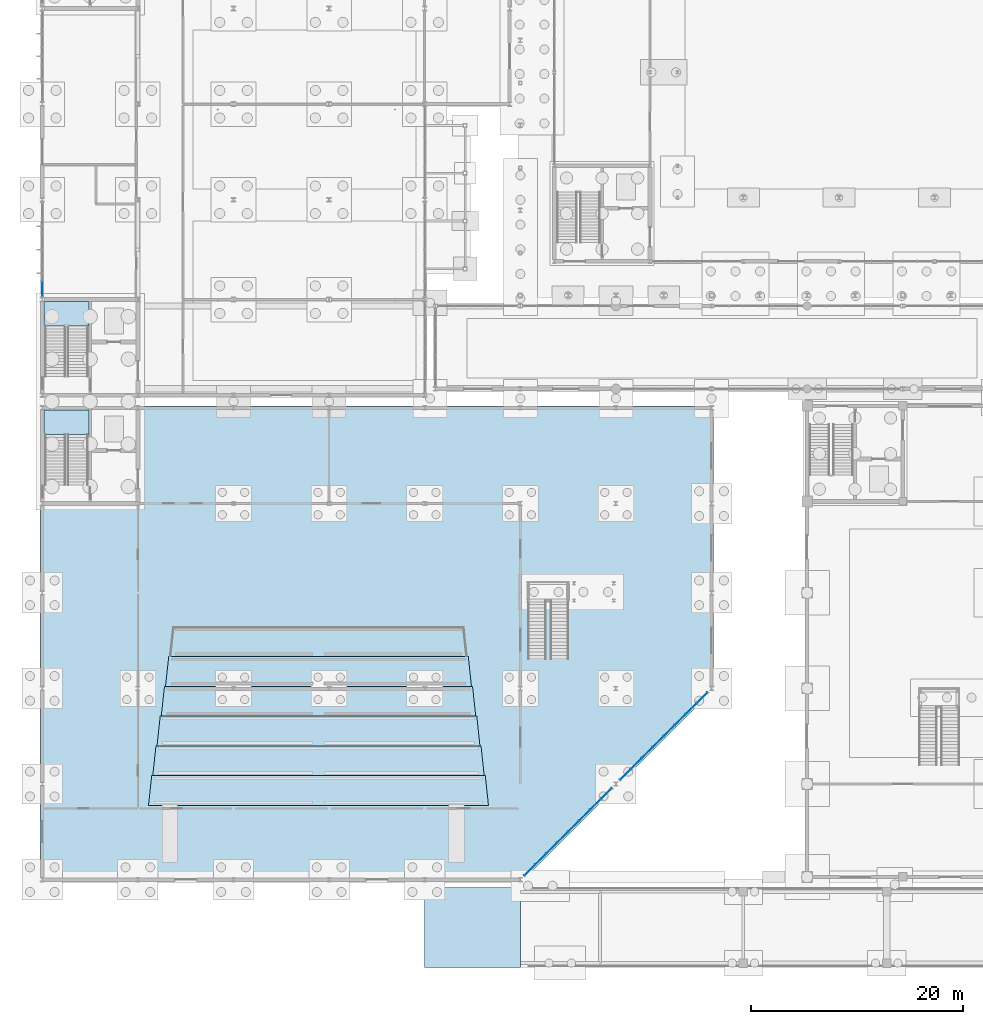
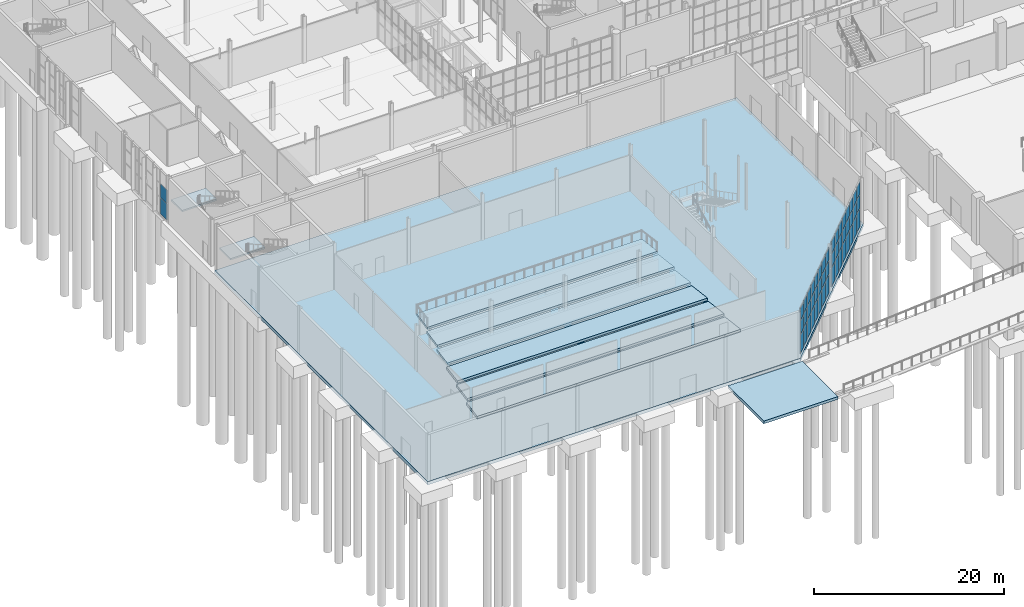
# One storey, part 73 of 131: 50 plates, 10 slabs, 5 elements without a shape of their own.
"""IFC4 building model written with IfcOpenShell, lengths in metres."""

from ifc_helpers import new_model, si_unit, direction, frame, origin, origin_2d, place, context, subcontext, project, spatial, polyline, rectangle, outline, extrude, material, layer, layer_set, type_object, element, aggregate, save


model = new_model("IFC4")

# Units and contexts
model_context = context("Model", 3, precision=1e-05, world=origin(), true_north=direction((0.0, 1.0)))
body_context = subcontext(model_context, "Body", "Model", "MODEL_VIEW")
ifc_project = project(units=[si_unit("LENGTHUNIT", "METRE"), si_unit("AREAUNIT", "SQUARE_METRE"), si_unit("VOLUMEUNIT", "CUBIC_METRE"), si_unit("PLANEANGLEUNIT", "RADIAN"), si_unit("MASSUNIT", "GRAM", prefix="KILO")], contexts=[model_context])

# Site, building, storey
site_placement = place(None, origin())
site = spatial("IfcSite", under=ifc_project, at=site_placement, CompositionType="ELEMENT")
building_placement = place(site_placement, origin())
building = spatial("IfcBuilding", under=site, at=building_placement, Name="Cazmaro Siding Exhibition Halls", CompositionType="ELEMENT")
storey_placement = place(building_placement, origin())
storey = spatial("IfcBuildingStorey", under=building, at=storey_placement, Name="L00", CompositionType="ELEMENT", Elevation=0.0)

# Slabs
ifc_material_1 = material(Name="Concrete f'c 35 MPa", Category="concrete")
ifc_layer_1 = layer(ifc_material_1, 0.409912109375)
ifc_layer_set_1 = layer_set([ifc_layer_1], Name="Concrete f'c 35 MPa")
slab_type_1 = type_object("IfcSlabType", Name="BS-01", PredefinedType="BASESLAB", material=ifc_layer_set_1)
slab_1_placement = place(storey_placement, frame((0.0, 0.0, -0.409912109375)))
element("IfcSlab", 1, at=slab_1_placement, inside=storey, type_object=slab_type_1, Name="Congress Auditorium base slab BS-01 SLB-0008", PredefinedType="BASESLAB", context=body_context, shape_type="SweptSolid", body=[
    extrude(outline(polyline([(-0.199951171875, 8.800048828125), (45.10009765625, 8.800048828125), (63.199951171875, 26.89990234375), (63.199951171875, 53.60009765625), (-0.199951171875, 53.60009765625), (-0.199951171875, 8.800048828125)])), origin(), (0.0, 0.0, 1.0), 0.409912109375),
])
ifc_material_2 = material(Name="Concrete f'c 35 MPa", Category="concrete")
ifc_layer_2 = layer(ifc_material_2, 0.35009765625)
ifc_layer_set_2 = layer_set([ifc_layer_2], Name="Concrete f'c 35 MPa")
slab_type_2 = type_object("IfcSlabType", Name="BS-03", PredefinedType="BASESLAB", material=ifc_layer_set_2)
slab_2_placement = place(storey_placement, frame((0.0, 0.0, -0.35009765625)))
element("IfcSlab", 2, at=slab_2_placement, inside=storey, type_object=slab_type_2, Name="Truck Ramp Grade Approach Apron BS-03 SLB-0010", PredefinedType="BASESLAB", context=body_context, shape_type="SweptSolid", body=[
    extrude(outline(polyline([(36.0, 0.75), (45.0, 0.75), (45.0, 8.25), (36.0, 8.25), (36.0, 0.75)])), origin(), (0.0, 0.0, 1.0), 0.35009765625),
])

# Curtain wall, plates
ifc_material_3 = material(Name="Anodized Bronze Aluminum and Solar-Control Low-E Glazing", Category="aluminium")
ifc_layer_3 = layer(ifc_material_3, 0.199951171875)
ifc_layer_set_3 = layer_set([ifc_layer_3], Name="Anodized Bronze Aluminum and Solar-Control Low-E Glazing")
curtain_wall_type_1 = type_object("IfcCurtainWallType", Name="CWS-02", PredefinedType="USERDEFINED", material=ifc_layer_set_3)
curtain_wall_1_placement = place(storey_placement, origin())
curtain_wall_1 = element("IfcCurtainWall", 3, at=curtain_wall_1_placement, inside=storey, type_object=curtain_wall_type_1, Name="Glazed Curtain Wall CWS-02 CW-224", ObjectType="GLAZED CURTAIN WALL", PredefinedType="USERDEFINED")
ifc_material_4 = material(Name="Solar-Control Low-E Double Insulating Glass", Category="glass")
ifc_layer_4 = layer(ifc_material_4, 0.035888671875)
ifc_layer_set_4 = layer_set([ifc_layer_4], Name="Solar-Control Low-E Double Insulating Glass")
plate_type_1 = type_object("IfcPlateType", Name="CWP-02", PredefinedType="CURTAIN_PANEL", material=ifc_layer_set_4)
plate_1_placement = place(storey_placement, frame((0.0, 64.6103515625, 0.06494140625), z_axis=(0.0, 0.0, 1.0), x_axis=(0.0, -1.0, 0.0)))
plate_1 = element("IfcPlate", 4, at=plate_1_placement, type_object=plate_type_1, Name="CWS-02 panel 6.1", PredefinedType="CURTAIN_PANEL", context=body_context, shape_type="SweptSolid", body=[
    extrude(rectangle(XDim=1.384765625, YDim=0.035888671875, at=origin_2d()), origin(), (0.0, 0.0, 1.0), 2.1025390625),
])
plate_2_placement = place(storey_placement, frame((0.0, 64.6103515625, 2.232421875), z_axis=(0.0, 0.0, 1.0), x_axis=(0.0, -1.0, 0.0)))
plate_2 = element("IfcPlate", 5, at=plate_2_placement, type_object=plate_type_1, Name="CWS-02 panel 6.2", PredefinedType="CURTAIN_PANEL", context=body_context, shape_type="SweptSolid", body=[
    extrude(rectangle(XDim=1.384765625, YDim=0.035888671875, at=origin_2d()), origin(), (0.0, 0.0, 1.0), 1.735107421875),
])
aggregate(curtain_wall_1, [plate_1, plate_2])

ifc_material_5 = material(Name="Anodized Bronze Aluminum and Solar-Control Low-E Glazing", Category="aluminium")
ifc_layer_5 = layer(ifc_material_5, 0.219970703125)
ifc_layer_set_5 = layer_set([ifc_layer_5], Name="Anodized Bronze Aluminum and Solar-Control Low-E Glazing")
curtain_wall_type_2 = type_object("IfcCurtainWallType", Name="CWS-03", PredefinedType="USERDEFINED", material=ifc_layer_set_5)
curtain_wall_2_placement = place(storey_placement, origin())
curtain_wall_2 = element("IfcCurtainWall", 6, at=curtain_wall_2_placement, inside=storey, type_object=curtain_wall_type_2, Name="Glazed Curtain Wall CWS-03 CW-211", ObjectType="GLAZED CURTAIN WALL", PredefinedType="USERDEFINED")
ifc_material_6 = material(Name="Solar-Control Low-E Double Insulating Glass", Category="glass")
ifc_layer_6 = layer(ifc_material_6, 0.0458984375)
ifc_layer_set_6 = layer_set([ifc_layer_6], Name="Solar-Control Low-E Double Insulating Glass")
plate_type_2 = type_object("IfcPlateType", Name="CWP-03", PredefinedType="CURTAIN_PANEL", material=ifc_layer_set_6)
plate_3_placement = place(storey_placement, frame((45.881103515625, 9.881103515625, 0.070068359375), z_axis=(0.0, 0.0, 1.0), x_axis=(0.707106781187, 0.707106781187, 0.0)))
plate_3 = element("IfcPlate", 7, at=plate_3_placement, type_object=plate_type_2, Name="CWS-03 panel 1.1", PredefinedType="CURTAIN_PANEL", context=body_context, shape_type="SweptSolid", body=[
    extrude(rectangle(XDim=1.3623046875, YDim=0.0458984375, at=origin_2d()), origin(), (0.0, 0.0, 1.0), 2.39501953125),
])
plate_4_placement = place(storey_placement, frame((45.881103515625, 9.881103515625, 2.534912109375), z_axis=(0.0, 0.0, 1.0), x_axis=(0.707106781187, 0.707106781187, 0.0)))
plate_4 = element("IfcPlate", 8, at=plate_4_placement, type_object=plate_type_2, Name="CWS-03 panel 1.2", PredefinedType="CURTAIN_PANEL", context=body_context, shape_type="SweptSolid", body=[
    extrude(rectangle(XDim=1.3623046875, YDim=0.0458984375, at=origin_2d()), origin(), (0.0, 0.0, 1.0), 1.72998046875),
])
plate_5_placement = place(storey_placement, frame((45.881103515625, 9.881103515625, 4.3349609375), z_axis=(0.0, 0.0, 1.0), x_axis=(0.707106781187, 0.707106781187, 0.0)))
plate_5 = element("IfcPlate", 9, at=plate_5_placement, type_object=plate_type_2, Name="CWS-03 panel 1.3", PredefinedType="CURTAIN_PANEL", context=body_context, shape_type="SweptSolid", body=[
    extrude(rectangle(XDim=1.3623046875, YDim=0.0458984375, at=origin_2d()), origin(), (0.0, 0.0, 1.0), 1.594970703125),
])
plate_6_placement = place(storey_placement, frame((46.90625, 10.90625, 0.070068359375), z_axis=(0.0, 0.0, 1.0), x_axis=(0.707106781187, 0.707106781187, 0.0)))
plate_6 = element("IfcPlate", 10, at=plate_6_placement, type_object=plate_type_2, Name="CWS-03 panel 2.1", PredefinedType="CURTAIN_PANEL", context=body_context, shape_type="SweptSolid", body=[
    extrude(rectangle(XDim=1.397216796875, YDim=0.0458984375, at=origin_2d()), origin(), (0.0, 0.0, 1.0), 2.39501953125),
])
plate_7_placement = place(storey_placement, frame((46.90625, 10.90625, 2.534912109375), z_axis=(0.0, 0.0, 1.0), x_axis=(0.707106781187, 0.707106781187, 0.0)))
plate_7 = element("IfcPlate", 11, at=plate_7_placement, type_object=plate_type_2, Name="CWS-03 panel 2.2", PredefinedType="CURTAIN_PANEL", context=body_context, shape_type="SweptSolid", body=[
    extrude(rectangle(XDim=1.397216796875, YDim=0.0458984375, at=origin_2d()), origin(), (0.0, 0.0, 1.0), 1.72998046875),
])
plate_8_placement = place(storey_placement, frame((46.90625, 10.90625, 4.3349609375), z_axis=(0.0, 0.0, 1.0), x_axis=(0.707106781187, 0.707106781187, 0.0)))
plate_8 = element("IfcPlate", 12, at=plate_8_placement, type_object=plate_type_2, Name="CWS-03 panel 2.3", PredefinedType="CURTAIN_PANEL", context=body_context, shape_type="SweptSolid", body=[
    extrude(rectangle(XDim=1.397216796875, YDim=0.0458984375, at=origin_2d()), origin(), (0.0, 0.0, 1.0), 1.594970703125),
])
plate_9_placement = place(storey_placement, frame((47.94384765625, 11.94384765625, 0.070068359375), z_axis=(0.0, 0.0, 1.0), x_axis=(0.707106781187, 0.707106781187, 0.0)))
plate_9 = element("IfcPlate", 13, at=plate_9_placement, type_object=plate_type_2, Name="CWS-03 panel 3.1", PredefinedType="CURTAIN_PANEL", context=body_context, shape_type="SweptSolid", body=[
    extrude(rectangle(XDim=1.397216796875, YDim=0.0458984375, at=origin_2d()), origin(), (0.0, 0.0, 1.0), 2.39501953125),
])
plate_10_placement = place(storey_placement, frame((47.94384765625, 11.94384765625, 2.534912109375), z_axis=(0.0, 0.0, 1.0), x_axis=(0.707106781187, 0.707106781187, 0.0)))
plate_10 = element("IfcPlate", 14, at=plate_10_placement, type_object=plate_type_2, Name="CWS-03 panel 3.2", PredefinedType="CURTAIN_PANEL", context=body_context, shape_type="SweptSolid", body=[
    extrude(rectangle(XDim=1.397216796875, YDim=0.0458984375, at=origin_2d()), origin(), (0.0, 0.0, 1.0), 1.72998046875),
])
plate_11_placement = place(storey_placement, frame((47.94384765625, 11.94384765625, 4.3349609375), z_axis=(0.0, 0.0, 1.0), x_axis=(0.707106781187, 0.707106781187, 0.0)))
plate_11 = element("IfcPlate", 15, at=plate_11_placement, type_object=plate_type_2, Name="CWS-03 panel 3.3", PredefinedType="CURTAIN_PANEL", context=body_context, shape_type="SweptSolid", body=[
    extrude(rectangle(XDim=1.397216796875, YDim=0.0458984375, at=origin_2d()), origin(), (0.0, 0.0, 1.0), 1.594970703125),
])
plate_12_placement = place(storey_placement, frame((48.981201171875, 12.981201171875, 0.070068359375), z_axis=(0.0, 0.0, 1.0), x_axis=(0.707106781187, 0.707106781187, 0.0)))
plate_12 = element("IfcPlate", 16, at=plate_12_placement, type_object=plate_type_2, Name="CWS-03 panel 4.1", PredefinedType="CURTAIN_PANEL", context=body_context, shape_type="SweptSolid", body=[
    extrude(rectangle(XDim=1.397216796875, YDim=0.0458984375, at=origin_2d()), origin(), (0.0, 0.0, 1.0), 2.39501953125),
])
plate_13_placement = place(storey_placement, frame((48.981201171875, 12.981201171875, 2.534912109375), z_axis=(0.0, 0.0, 1.0), x_axis=(0.707106781187, 0.707106781187, 0.0)))
plate_13 = element("IfcPlate", 17, at=plate_13_placement, type_object=plate_type_2, Name="CWS-03 panel 4.2", PredefinedType="CURTAIN_PANEL", context=body_context, shape_type="SweptSolid", body=[
    extrude(rectangle(XDim=1.397216796875, YDim=0.0458984375, at=origin_2d()), origin(), (0.0, 0.0, 1.0), 1.72998046875),
])
plate_14_placement = place(storey_placement, frame((48.981201171875, 12.981201171875, 4.3349609375), z_axis=(0.0, 0.0, 1.0), x_axis=(0.707106781187, 0.707106781187, 0.0)))
plate_14 = element("IfcPlate", 18, at=plate_14_placement, type_object=plate_type_2, Name="CWS-03 panel 4.3", PredefinedType="CURTAIN_PANEL", context=body_context, shape_type="SweptSolid", body=[
    extrude(rectangle(XDim=1.397216796875, YDim=0.0458984375, at=origin_2d()), origin(), (0.0, 0.0, 1.0), 1.594970703125),
])
plate_15_placement = place(storey_placement, frame((50.018798828125, 14.018798828125, 0.070068359375), z_axis=(0.0, 0.0, 1.0), x_axis=(0.707106781187, 0.707106781187, 0.0)))
plate_15 = element("IfcPlate", 19, at=plate_15_placement, type_object=plate_type_2, Name="CWS-03 panel 5.1", PredefinedType="CURTAIN_PANEL", context=body_context, shape_type="SweptSolid", body=[
    extrude(rectangle(XDim=1.397216796875, YDim=0.0458984375, at=origin_2d()), origin(), (0.0, 0.0, 1.0), 2.39501953125),
])
plate_16_placement = place(storey_placement, frame((50.018798828125, 14.018798828125, 2.534912109375), z_axis=(0.0, 0.0, 1.0), x_axis=(0.707106781187, 0.707106781187, 0.0)))
plate_16 = element("IfcPlate", 20, at=plate_16_placement, type_object=plate_type_2, Name="CWS-03 panel 5.2", PredefinedType="CURTAIN_PANEL", context=body_context, shape_type="SweptSolid", body=[
    extrude(rectangle(XDim=1.397216796875, YDim=0.0458984375, at=origin_2d()), origin(), (0.0, 0.0, 1.0), 1.72998046875),
])
plate_17_placement = place(storey_placement, frame((50.018798828125, 14.018798828125, 4.3349609375), z_axis=(0.0, 0.0, 1.0), x_axis=(0.707106781187, 0.707106781187, 0.0)))
plate_17 = element("IfcPlate", 21, at=plate_17_placement, type_object=plate_type_2, Name="CWS-03 panel 5.3", PredefinedType="CURTAIN_PANEL", context=body_context, shape_type="SweptSolid", body=[
    extrude(rectangle(XDim=1.397216796875, YDim=0.0458984375, at=origin_2d()), origin(), (0.0, 0.0, 1.0), 1.594970703125),
])
plate_18_placement = place(storey_placement, frame((51.05615234375, 15.05615234375, 0.070068359375), z_axis=(0.0, 0.0, 1.0), x_axis=(0.707106781187, 0.707106781187, 0.0)))
plate_18 = element("IfcPlate", 22, at=plate_18_placement, type_object=plate_type_2, Name="CWS-03 panel 6.1", PredefinedType="CURTAIN_PANEL", context=body_context, shape_type="SweptSolid", body=[
    extrude(rectangle(XDim=1.397216796875, YDim=0.0458984375, at=origin_2d()), origin(), (0.0, 0.0, 1.0), 2.39501953125),
])
plate_19_placement = place(storey_placement, frame((51.05615234375, 15.05615234375, 2.534912109375), z_axis=(0.0, 0.0, 1.0), x_axis=(0.707106781187, 0.707106781187, 0.0)))
plate_19 = element("IfcPlate", 23, at=plate_19_placement, type_object=plate_type_2, Name="CWS-03 panel 6.2", PredefinedType="CURTAIN_PANEL", context=body_context, shape_type="SweptSolid", body=[
    extrude(rectangle(XDim=1.397216796875, YDim=0.0458984375, at=origin_2d()), origin(), (0.0, 0.0, 1.0), 1.72998046875),
])
plate_20_placement = place(storey_placement, frame((51.05615234375, 15.05615234375, 4.3349609375), z_axis=(0.0, 0.0, 1.0), x_axis=(0.707106781187, 0.707106781187, 0.0)))
plate_20 = element("IfcPlate", 24, at=plate_20_placement, type_object=plate_type_2, Name="CWS-03 panel 6.3", PredefinedType="CURTAIN_PANEL", context=body_context, shape_type="SweptSolid", body=[
    extrude(rectangle(XDim=1.397216796875, YDim=0.0458984375, at=origin_2d()), origin(), (0.0, 0.0, 1.0), 1.594970703125),
])
plate_21_placement = place(storey_placement, frame((52.09375, 16.09375, 0.070068359375), z_axis=(0.0, 0.0, 1.0), x_axis=(0.707106781187, 0.707106781187, 0.0)))
plate_21 = element("IfcPlate", 25, at=plate_21_placement, type_object=plate_type_2, Name="CWS-03 panel 7.1", PredefinedType="CURTAIN_PANEL", context=body_context, shape_type="SweptSolid", body=[
    extrude(rectangle(XDim=1.397216796875, YDim=0.0458984375, at=origin_2d()), origin(), (0.0, 0.0, 1.0), 2.39501953125),
])
plate_22_placement = place(storey_placement, frame((52.09375, 16.09375, 2.534912109375), z_axis=(0.0, 0.0, 1.0), x_axis=(0.707106781187, 0.707106781187, 0.0)))
plate_22 = element("IfcPlate", 26, at=plate_22_placement, type_object=plate_type_2, Name="CWS-03 panel 7.2", PredefinedType="CURTAIN_PANEL", context=body_context, shape_type="SweptSolid", body=[
    extrude(rectangle(XDim=1.397216796875, YDim=0.0458984375, at=origin_2d()), origin(), (0.0, 0.0, 1.0), 1.72998046875),
])
plate_23_placement = place(storey_placement, frame((52.09375, 16.09375, 4.3349609375), z_axis=(0.0, 0.0, 1.0), x_axis=(0.707106781187, 0.707106781187, 0.0)))
plate_23 = element("IfcPlate", 27, at=plate_23_placement, type_object=plate_type_2, Name="CWS-03 panel 7.3", PredefinedType="CURTAIN_PANEL", context=body_context, shape_type="SweptSolid", body=[
    extrude(rectangle(XDim=1.397216796875, YDim=0.0458984375, at=origin_2d()), origin(), (0.0, 0.0, 1.0), 1.594970703125),
])
plate_24_placement = place(storey_placement, frame((53.118896484375, 17.118896484375, 0.070068359375), z_axis=(0.0, 0.0, 1.0), x_axis=(0.707106781187, 0.707106781187, 0.0)))
plate_24 = element("IfcPlate", 28, at=plate_24_placement, type_object=plate_type_2, Name="CWS-03 panel 8.1", PredefinedType="CURTAIN_PANEL", context=body_context, shape_type="SweptSolid", body=[
    extrude(rectangle(XDim=1.3623046875, YDim=0.0458984375, at=origin_2d()), origin(), (0.0, 0.0, 1.0), 2.39501953125),
])
plate_25_placement = place(storey_placement, frame((53.118896484375, 17.118896484375, 2.534912109375), z_axis=(0.0, 0.0, 1.0), x_axis=(0.707106781187, 0.707106781187, 0.0)))
plate_25 = element("IfcPlate", 29, at=plate_25_placement, type_object=plate_type_2, Name="CWS-03 panel 8.2", PredefinedType="CURTAIN_PANEL", context=body_context, shape_type="SweptSolid", body=[
    extrude(rectangle(XDim=1.3623046875, YDim=0.0458984375, at=origin_2d()), origin(), (0.0, 0.0, 1.0), 1.72998046875),
])
plate_26_placement = place(storey_placement, frame((53.118896484375, 17.118896484375, 4.3349609375), z_axis=(0.0, 0.0, 1.0), x_axis=(0.707106781187, 0.707106781187, 0.0)))
plate_26 = element("IfcPlate", 30, at=plate_26_placement, type_object=plate_type_2, Name="CWS-03 panel 8.3", PredefinedType="CURTAIN_PANEL", context=body_context, shape_type="SweptSolid", body=[
    extrude(rectangle(XDim=1.3623046875, YDim=0.0458984375, at=origin_2d()), origin(), (0.0, 0.0, 1.0), 1.594970703125),
])
aggregate(curtain_wall_2, [plate_3, plate_4, plate_5, plate_6, plate_7, plate_8, plate_9, plate_10, plate_11, plate_12, plate_13, plate_14, plate_15, plate_16, plate_17, plate_18, plate_19, plate_20, plate_21, plate_22, plate_23, plate_24, plate_25, plate_26])

curtain_wall_3_placement = place(storey_placement, origin())
curtain_wall_3 = element("IfcCurtainWall", 31, at=curtain_wall_3_placement, inside=storey, type_object=curtain_wall_type_2, Name="Glazed Curtain Wall CWS-03 CW-214", ObjectType="GLAZED CURTAIN WALL", PredefinedType="USERDEFINED")
plate_27_placement = place(storey_placement, frame((54.881103515625, 18.881103515625, 0.070068359375), z_axis=(0.0, 0.0, 1.0), x_axis=(0.707106781187, 0.707106781187, 0.0)))
plate_27 = element("IfcPlate", 32, at=plate_27_placement, type_object=plate_type_2, Name="CWS-03 panel 1.1", PredefinedType="CURTAIN_PANEL", context=body_context, shape_type="SweptSolid", body=[
    extrude(rectangle(XDim=1.3623046875, YDim=0.0458984375, at=origin_2d()), origin(), (0.0, 0.0, 1.0), 2.39501953125),
])
plate_28_placement = place(storey_placement, frame((54.881103515625, 18.881103515625, 2.534912109375), z_axis=(0.0, 0.0, 1.0), x_axis=(0.707106781187, 0.707106781187, 0.0)))
plate_28 = element("IfcPlate", 33, at=plate_28_placement, type_object=plate_type_2, Name="CWS-03 panel 1.2", PredefinedType="CURTAIN_PANEL", context=body_context, shape_type="SweptSolid", body=[
    extrude(rectangle(XDim=1.3623046875, YDim=0.0458984375, at=origin_2d()), origin(), (0.0, 0.0, 1.0), 1.72998046875),
])
plate_29_placement = place(storey_placement, frame((54.881103515625, 18.881103515625, 4.3349609375), z_axis=(0.0, 0.0, 1.0), x_axis=(0.707106781187, 0.707106781187, 0.0)))
plate_29 = element("IfcPlate", 34, at=plate_29_placement, type_object=plate_type_2, Name="CWS-03 panel 1.3", PredefinedType="CURTAIN_PANEL", context=body_context, shape_type="SweptSolid", body=[
    extrude(rectangle(XDim=1.3623046875, YDim=0.0458984375, at=origin_2d()), origin(), (0.0, 0.0, 1.0), 1.594970703125),
])
plate_30_placement = place(storey_placement, frame((55.90625, 19.90625, 0.070068359375), z_axis=(0.0, 0.0, 1.0), x_axis=(0.707106781187, 0.707106781187, 0.0)))
plate_30 = element("IfcPlate", 35, at=plate_30_placement, type_object=plate_type_2, Name="CWS-03 panel 2.1", PredefinedType="CURTAIN_PANEL", context=body_context, shape_type="SweptSolid", body=[
    extrude(rectangle(XDim=1.397216796875, YDim=0.0458984375, at=origin_2d()), origin(), (0.0, 0.0, 1.0), 2.39501953125),
])
plate_31_placement = place(storey_placement, frame((55.90625, 19.90625, 2.534912109375), z_axis=(0.0, 0.0, 1.0), x_axis=(0.707106781187, 0.707106781187, 0.0)))
plate_31 = element("IfcPlate", 36, at=plate_31_placement, type_object=plate_type_2, Name="CWS-03 panel 2.2", PredefinedType="CURTAIN_PANEL", context=body_context, shape_type="SweptSolid", body=[
    extrude(rectangle(XDim=1.397216796875, YDim=0.0458984375, at=origin_2d()), origin(), (0.0, 0.0, 1.0), 1.72998046875),
])
plate_32_placement = place(storey_placement, frame((55.90625, 19.90625, 4.3349609375), z_axis=(0.0, 0.0, 1.0), x_axis=(0.707106781187, 0.707106781187, 0.0)))
plate_32 = element("IfcPlate", 37, at=plate_32_placement, type_object=plate_type_2, Name="CWS-03 panel 2.3", PredefinedType="CURTAIN_PANEL", context=body_context, shape_type="SweptSolid", body=[
    extrude(rectangle(XDim=1.397216796875, YDim=0.0458984375, at=origin_2d()), origin(), (0.0, 0.0, 1.0), 1.594970703125),
])
plate_33_placement = place(storey_placement, frame((56.94384765625, 20.94384765625, 0.070068359375), z_axis=(0.0, 0.0, 1.0), x_axis=(0.707106781187, 0.707106781187, 0.0)))
plate_33 = element("IfcPlate", 38, at=plate_33_placement, type_object=plate_type_2, Name="CWS-03 panel 3.1", PredefinedType="CURTAIN_PANEL", context=body_context, shape_type="SweptSolid", body=[
    extrude(rectangle(XDim=1.397216796875, YDim=0.0458984375, at=origin_2d()), origin(), (0.0, 0.0, 1.0), 2.39501953125),
])
plate_34_placement = place(storey_placement, frame((56.94384765625, 20.94384765625, 2.534912109375), z_axis=(0.0, 0.0, 1.0), x_axis=(0.707106781187, 0.707106781187, 0.0)))
plate_34 = element("IfcPlate", 39, at=plate_34_placement, type_object=plate_type_2, Name="CWS-03 panel 3.2", PredefinedType="CURTAIN_PANEL", context=body_context, shape_type="SweptSolid", body=[
    extrude(rectangle(XDim=1.397216796875, YDim=0.0458984375, at=origin_2d()), origin(), (0.0, 0.0, 1.0), 1.72998046875),
])
plate_35_placement = place(storey_placement, frame((56.94384765625, 20.94384765625, 4.3349609375), z_axis=(0.0, 0.0, 1.0), x_axis=(0.707106781187, 0.707106781187, 0.0)))
plate_35 = element("IfcPlate", 40, at=plate_35_placement, type_object=plate_type_2, Name="CWS-03 panel 3.3", PredefinedType="CURTAIN_PANEL", context=body_context, shape_type="SweptSolid", body=[
    extrude(rectangle(XDim=1.397216796875, YDim=0.0458984375, at=origin_2d()), origin(), (0.0, 0.0, 1.0), 1.594970703125),
])
plate_36_placement = place(storey_placement, frame((57.981201171875, 21.981201171875, 0.070068359375), z_axis=(0.0, 0.0, 1.0), x_axis=(0.707106781187, 0.707106781187, 0.0)))
plate_36 = element("IfcPlate", 41, at=plate_36_placement, type_object=plate_type_2, Name="CWS-03 panel 4.1", PredefinedType="CURTAIN_PANEL", context=body_context, shape_type="SweptSolid", body=[
    extrude(rectangle(XDim=1.397216796875, YDim=0.0458984375, at=origin_2d()), origin(), (0.0, 0.0, 1.0), 2.39501953125),
])
plate_37_placement = place(storey_placement, frame((57.981201171875, 21.981201171875, 2.534912109375), z_axis=(0.0, 0.0, 1.0), x_axis=(0.707106781187, 0.707106781187, 0.0)))
plate_37 = element("IfcPlate", 42, at=plate_37_placement, type_object=plate_type_2, Name="CWS-03 panel 4.2", PredefinedType="CURTAIN_PANEL", context=body_context, shape_type="SweptSolid", body=[
    extrude(rectangle(XDim=1.397216796875, YDim=0.0458984375, at=origin_2d()), origin(), (0.0, 0.0, 1.0), 1.72998046875),
])
plate_38_placement = place(storey_placement, frame((57.981201171875, 21.981201171875, 4.3349609375), z_axis=(0.0, 0.0, 1.0), x_axis=(0.707106781187, 0.707106781187, 0.0)))
plate_38 = element("IfcPlate", 43, at=plate_38_placement, type_object=plate_type_2, Name="CWS-03 panel 4.3", PredefinedType="CURTAIN_PANEL", context=body_context, shape_type="SweptSolid", body=[
    extrude(rectangle(XDim=1.397216796875, YDim=0.0458984375, at=origin_2d()), origin(), (0.0, 0.0, 1.0), 1.594970703125),
])
plate_39_placement = place(storey_placement, frame((59.018798828125, 23.018798828125, 0.070068359375), z_axis=(0.0, 0.0, 1.0), x_axis=(0.707106781187, 0.707106781187, 0.0)))
plate_39 = element("IfcPlate", 44, at=plate_39_placement, type_object=plate_type_2, Name="CWS-03 panel 5.1", PredefinedType="CURTAIN_PANEL", context=body_context, shape_type="SweptSolid", body=[
    extrude(rectangle(XDim=1.397216796875, YDim=0.0458984375, at=origin_2d()), origin(), (0.0, 0.0, 1.0), 2.39501953125),
])
plate_40_placement = place(storey_placement, frame((59.018798828125, 23.018798828125, 2.534912109375), z_axis=(0.0, 0.0, 1.0), x_axis=(0.707106781187, 0.707106781187, 0.0)))
plate_40 = element("IfcPlate", 45, at=plate_40_placement, type_object=plate_type_2, Name="CWS-03 panel 5.2", PredefinedType="CURTAIN_PANEL", context=body_context, shape_type="SweptSolid", body=[
    extrude(rectangle(XDim=1.397216796875, YDim=0.0458984375, at=origin_2d()), origin(), (0.0, 0.0, 1.0), 1.72998046875),
])
plate_41_placement = place(storey_placement, frame((59.018798828125, 23.018798828125, 4.3349609375), z_axis=(0.0, 0.0, 1.0), x_axis=(0.707106781187, 0.707106781187, 0.0)))
plate_41 = element("IfcPlate", 46, at=plate_41_placement, type_object=plate_type_2, Name="CWS-03 panel 5.3", PredefinedType="CURTAIN_PANEL", context=body_context, shape_type="SweptSolid", body=[
    extrude(rectangle(XDim=1.397216796875, YDim=0.0458984375, at=origin_2d()), origin(), (0.0, 0.0, 1.0), 1.594970703125),
])
plate_42_placement = place(storey_placement, frame((60.05615234375, 24.05615234375, 0.070068359375), z_axis=(0.0, 0.0, 1.0), x_axis=(0.707106781187, 0.707106781187, 0.0)))
plate_42 = element("IfcPlate", 47, at=plate_42_placement, type_object=plate_type_2, Name="CWS-03 panel 6.1", PredefinedType="CURTAIN_PANEL", context=body_context, shape_type="SweptSolid", body=[
    extrude(rectangle(XDim=1.397216796875, YDim=0.0458984375, at=origin_2d()), origin(), (0.0, 0.0, 1.0), 2.39501953125),
])
plate_43_placement = place(storey_placement, frame((60.05615234375, 24.05615234375, 2.534912109375), z_axis=(0.0, 0.0, 1.0), x_axis=(0.707106781187, 0.707106781187, 0.0)))
plate_43 = element("IfcPlate", 48, at=plate_43_placement, type_object=plate_type_2, Name="CWS-03 panel 6.2", PredefinedType="CURTAIN_PANEL", context=body_context, shape_type="SweptSolid", body=[
    extrude(rectangle(XDim=1.397216796875, YDim=0.0458984375, at=origin_2d()), origin(), (0.0, 0.0, 1.0), 1.72998046875),
])
plate_44_placement = place(storey_placement, frame((60.05615234375, 24.05615234375, 4.3349609375), z_axis=(0.0, 0.0, 1.0), x_axis=(0.707106781187, 0.707106781187, 0.0)))
plate_44 = element("IfcPlate", 49, at=plate_44_placement, type_object=plate_type_2, Name="CWS-03 panel 6.3", PredefinedType="CURTAIN_PANEL", context=body_context, shape_type="SweptSolid", body=[
    extrude(rectangle(XDim=1.397216796875, YDim=0.0458984375, at=origin_2d()), origin(), (0.0, 0.0, 1.0), 1.594970703125),
])
plate_45_placement = place(storey_placement, frame((61.09375, 25.09375, 0.070068359375), z_axis=(0.0, 0.0, 1.0), x_axis=(0.707106781187, 0.707106781187, 0.0)))
plate_45 = element("IfcPlate", 50, at=plate_45_placement, type_object=plate_type_2, Name="CWS-03 panel 7.1", PredefinedType="CURTAIN_PANEL", context=body_context, shape_type="SweptSolid", body=[
    extrude(rectangle(XDim=1.397216796875, YDim=0.0458984375, at=origin_2d()), origin(), (0.0, 0.0, 1.0), 2.39501953125),
])
plate_46_placement = place(storey_placement, frame((61.09375, 25.09375, 2.534912109375), z_axis=(0.0, 0.0, 1.0), x_axis=(0.707106781187, 0.707106781187, 0.0)))
plate_46 = element("IfcPlate", 51, at=plate_46_placement, type_object=plate_type_2, Name="CWS-03 panel 7.2", PredefinedType="CURTAIN_PANEL", context=body_context, shape_type="SweptSolid", body=[
    extrude(rectangle(XDim=1.397216796875, YDim=0.0458984375, at=origin_2d()), origin(), (0.0, 0.0, 1.0), 1.72998046875),
])
plate_47_placement = place(storey_placement, frame((61.09375, 25.09375, 4.3349609375), z_axis=(0.0, 0.0, 1.0), x_axis=(0.707106781187, 0.707106781187, 0.0)))
plate_47 = element("IfcPlate", 52, at=plate_47_placement, type_object=plate_type_2, Name="CWS-03 panel 7.3", PredefinedType="CURTAIN_PANEL", context=body_context, shape_type="SweptSolid", body=[
    extrude(rectangle(XDim=1.397216796875, YDim=0.0458984375, at=origin_2d()), origin(), (0.0, 0.0, 1.0), 1.594970703125),
])
plate_48_placement = place(storey_placement, frame((62.118896484375, 26.118896484375, 0.070068359375), z_axis=(0.0, 0.0, 1.0), x_axis=(0.707106781187, 0.707106781187, 0.0)))
plate_48 = element("IfcPlate", 53, at=plate_48_placement, type_object=plate_type_2, Name="CWS-03 panel 8.1", PredefinedType="CURTAIN_PANEL", context=body_context, shape_type="SweptSolid", body=[
    extrude(rectangle(XDim=1.3623046875, YDim=0.0458984375, at=origin_2d()), origin(), (0.0, 0.0, 1.0), 2.39501953125),
])
plate_49_placement = place(storey_placement, frame((62.118896484375, 26.118896484375, 2.534912109375), z_axis=(0.0, 0.0, 1.0), x_axis=(0.707106781187, 0.707106781187, 0.0)))
plate_49 = element("IfcPlate", 54, at=plate_49_placement, type_object=plate_type_2, Name="CWS-03 panel 8.2", PredefinedType="CURTAIN_PANEL", context=body_context, shape_type="SweptSolid", body=[
    extrude(rectangle(XDim=1.3623046875, YDim=0.0458984375, at=origin_2d()), origin(), (0.0, 0.0, 1.0), 1.72998046875),
])
plate_50_placement = place(storey_placement, frame((62.118896484375, 26.118896484375, 4.3349609375), z_axis=(0.0, 0.0, 1.0), x_axis=(0.707106781187, 0.707106781187, 0.0)))
plate_50 = element("IfcPlate", 55, at=plate_50_placement, type_object=plate_type_2, Name="CWS-03 panel 8.3", PredefinedType="CURTAIN_PANEL", context=body_context, shape_type="SweptSolid", body=[
    extrude(rectangle(XDim=1.3623046875, YDim=0.0458984375, at=origin_2d()), origin(), (0.0, 0.0, 1.0), 1.594970703125),
])
aggregate(curtain_wall_3, [plate_27, plate_28, plate_29, plate_30, plate_31, plate_32, plate_33, plate_34, plate_35, plate_36, plate_37, plate_38, plate_39, plate_40, plate_41, plate_42, plate_43, plate_44, plate_45, plate_46, plate_47, plate_48, plate_49, plate_50])

# Stair, slab
ifc_material_7 = material(Name="Concrete f'c 40 MPa", Category="concrete")
stair_type_1 = type_object("IfcStairType", Name="STT-11", PredefinedType="TWO_STRAIGHT_RUN_STAIR", material=ifc_material_7)
stair_1_placement = place(storey_placement, origin())
stair_1 = element("IfcStair", 56, at=stair_1_placement, inside=storey, type_object=stair_type_1, Name="Core C6 Exit Stair L00-L01 ST-11", PredefinedType="TWO_STRAIGHT_RUN_STAIR")
ifc_material_8 = material(Name="Concrete f'c 40 MPa", Category="concrete")
ifc_layer_7 = layer(ifc_material_8, 0.199951171875)
ifc_layer_set_7 = layer_set([ifc_layer_7], Name="Concrete f'c 40 MPa")
slab_type_3 = type_object("IfcSlabType", Name="LND-11", PredefinedType="LANDING", material=ifc_layer_set_7)
slab_3_placement = place(storey_placement, frame((0.0, 0.0, 2.800048828125)))
slab_3 = element("IfcSlab", 57, at=slab_3_placement, type_object=slab_type_3, Name="ST-11 landing 1", PredefinedType="LANDING", context=body_context, shape_type="SweptSolid", body=[
    extrude(outline(polyline([(0.175048828125, 50.89990234375), (4.3798828125, 50.89990234375), (4.3798828125, 53.22509765625), (0.175048828125, 53.22509765625), (0.175048828125, 50.89990234375)])), origin(), (0.0, 0.0, 1.0), 0.199951171875),
])
aggregate(stair_1, [slab_3])

ifc_material_9 = material(Name="Concrete f'c 40 MPa", Category="concrete")
stair_type_2 = type_object("IfcStairType", Name="STT-13", PredefinedType="TWO_STRAIGHT_RUN_STAIR", material=ifc_material_9)
stair_2_placement = place(storey_placement, origin())
stair_2 = element("IfcStair", 58, at=stair_2_placement, inside=storey, type_object=stair_type_2, Name="Core C7 Exit Stair L00-L01 ST-13", PredefinedType="TWO_STRAIGHT_RUN_STAIR")
ifc_material_10 = material(Name="Concrete f'c 40 MPa", Category="concrete")
ifc_layer_8 = layer(ifc_material_10, 0.199951171875)
ifc_layer_set_8 = layer_set([ifc_layer_8], Name="Concrete f'c 40 MPa")
slab_type_4 = type_object("IfcSlabType", Name="LND-13", PredefinedType="LANDING", material=ifc_layer_set_8)
slab_4_placement = place(storey_placement, frame((0.0, 0.0, 2.800048828125)))
slab_4 = element("IfcSlab", 59, at=slab_4_placement, type_object=slab_type_4, Name="ST-13 landing 1", PredefinedType="LANDING", context=body_context, shape_type="SweptSolid", body=[
    extrude(outline(polyline([(0.175048828125, 61.10009765625), (4.3798828125, 61.10009765625), (4.3798828125, 63.425048828125), (0.175048828125, 63.425048828125), (0.175048828125, 61.10009765625)])), origin(), (0.0, 0.0, 1.0), 0.199951171875),
])
aggregate(stair_2, [slab_4])

# Slabs
ifc_material_11 = material(Name="Precast concrete f'c 40 MPa", Category="concrete")
ifc_layer_9 = layer(ifc_material_11, 0.320068359375)
ifc_layer_set_9 = layer_set([ifc_layer_9], Name="Precast concrete f'c 40 MPa")
slab_type_5 = type_object("IfcSlabType", Name="ST-T1", PredefinedType="USERDEFINED", material=ifc_layer_set_9)
slab_5_placement = place(storey_placement, frame((0.0, 0.0, 0.1298828125)))
element("IfcSlab", 60, at=slab_5_placement, inside=storey, type_object=slab_type_5, Name="Stand Lower Tier Row 1 ST-T1 SLB-0054", ObjectType="SEATING TIER", PredefinedType="USERDEFINED", context=body_context, shape_type="SweptSolid", body=[
    extrude(outline(polyline([(10.0, 16.0), (42.0, 16.0), (41.699951171875, 18.800048828125), (10.300048828125, 18.800048828125), (10.0, 16.0)])), origin(), (0.0, 0.0, 1.0), 0.320068359375),
])
slab_6_placement = place(storey_placement, frame((0.0, 0.0, 1.030029296875)))
element("IfcSlab", 61, at=slab_6_placement, inside=storey, type_object=slab_type_5, Name="Stand Lower Tier Row 3 ST-T1 SLB-0056", ObjectType="SEATING TIER", PredefinedType="USERDEFINED", context=body_context, shape_type="SweptSolid", body=[
    extrude(outline(polyline([(10.800048828125, 21.60009765625), (41.199951171875, 21.60009765625), (40.89990234375, 24.39990234375), (11.10009765625, 24.39990234375), (10.800048828125, 21.60009765625)])), origin(), (0.0, 0.0, 1.0), 0.320068359375),
])
slab_7_placement = place(storey_placement, frame((0.0, 0.0, 1.929931640625)))
element("IfcSlab", 62, at=slab_7_placement, inside=storey, type_object=slab_type_5, Name="Stand Lower Tier Row 5 ST-T1 SLB-0058", ObjectType="SEATING TIER", PredefinedType="USERDEFINED", context=body_context, shape_type="SweptSolid", body=[
    extrude(outline(polyline([(11.60009765625, 27.199951171875), (40.39990234375, 27.199951171875), (40.10009765625, 30.0), (11.89990234375, 30.0), (11.60009765625, 27.199951171875)])), origin(), (0.0, 0.0, 1.0), 0.320068359375),
])
ifc_material_12 = material(Name="Precast concrete f'c 40 MPa", Category="concrete")
ifc_layer_10 = layer(ifc_material_12, 0.2900390625)
ifc_layer_set_10 = layer_set([ifc_layer_10], Name="Precast concrete f'c 40 MPa")
slab_type_6 = type_object("IfcSlabType", Name="ST-T2", PredefinedType="USERDEFINED", material=ifc_layer_set_10)
slab_8_placement = place(storey_placement, frame((0.0, 0.0, 0.610107421875)))
element("IfcSlab", 63, at=slab_8_placement, inside=storey, type_object=slab_type_6, Name="Stand Lower Tier Row 2 ST-T2 SLB-0055", ObjectType="SEATING TIER", PredefinedType="USERDEFINED", context=body_context, shape_type="SweptSolid", body=[
    extrude(outline(polyline([(10.39990234375, 18.800048828125), (41.60009765625, 18.800048828125), (41.300048828125, 21.60009765625), (10.699951171875, 21.60009765625), (10.39990234375, 18.800048828125)])), origin(), (0.0, 0.0, 1.0), 0.289794921875),
])
slab_9_placement = place(storey_placement, frame((0.0, 0.0, 1.510009765625)))
element("IfcSlab", 64, at=slab_9_placement, inside=storey, type_object=slab_type_6, Name="Stand Lower Tier Row 4 ST-T2 SLB-0057", ObjectType="SEATING TIER", PredefinedType="USERDEFINED", context=body_context, shape_type="SweptSolid", body=[
    extrude(outline(polyline([(11.199951171875, 24.39990234375), (40.800048828125, 24.39990234375), (40.5, 27.199951171875), (11.5, 27.199951171875), (11.199951171875, 24.39990234375)])), origin(), (0.0, 0.0, 1.0), 0.2900390625),
])
slab_10_placement = place(storey_placement, frame((0.0, 0.0, 2.409912109375)))
element("IfcSlab", 65, at=slab_10_placement, inside=storey, type_object=slab_type_6, Name="Stand Lower Tier Row 6 ST-T2 SLB-0059", ObjectType="SEATING TIER", PredefinedType="USERDEFINED", context=body_context, shape_type="SweptSolid", body=[
    extrude(outline(polyline([(12.0, 30.0), (40.0, 30.0), (39.699951171875, 32.800048828125), (12.300048828125, 32.800048828125), (12.0, 30.0)])), origin(), (0.0, 0.0, 1.0), 0.2900390625),
])

save(model, "model.ifc")
